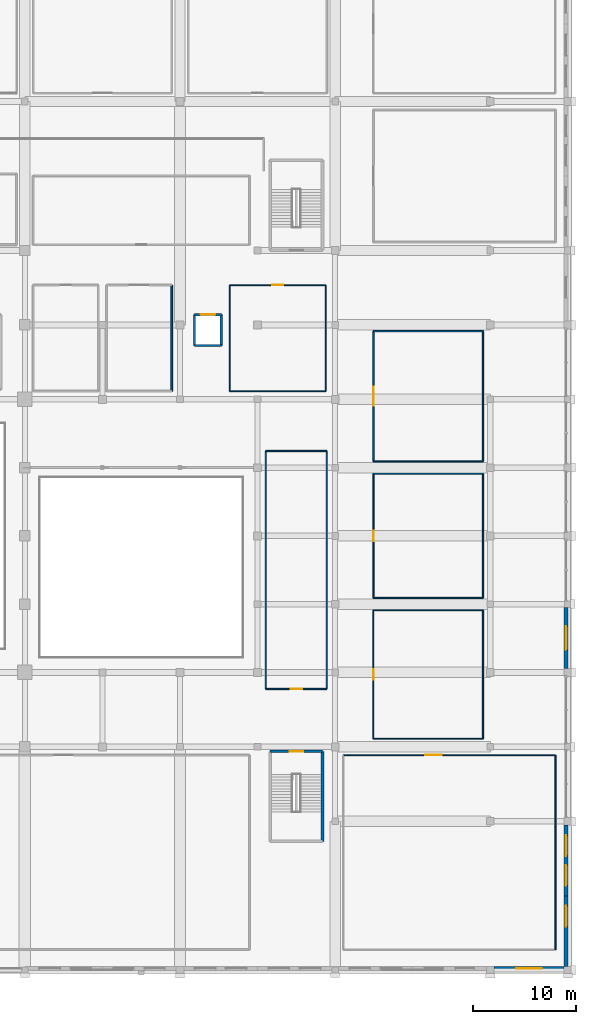
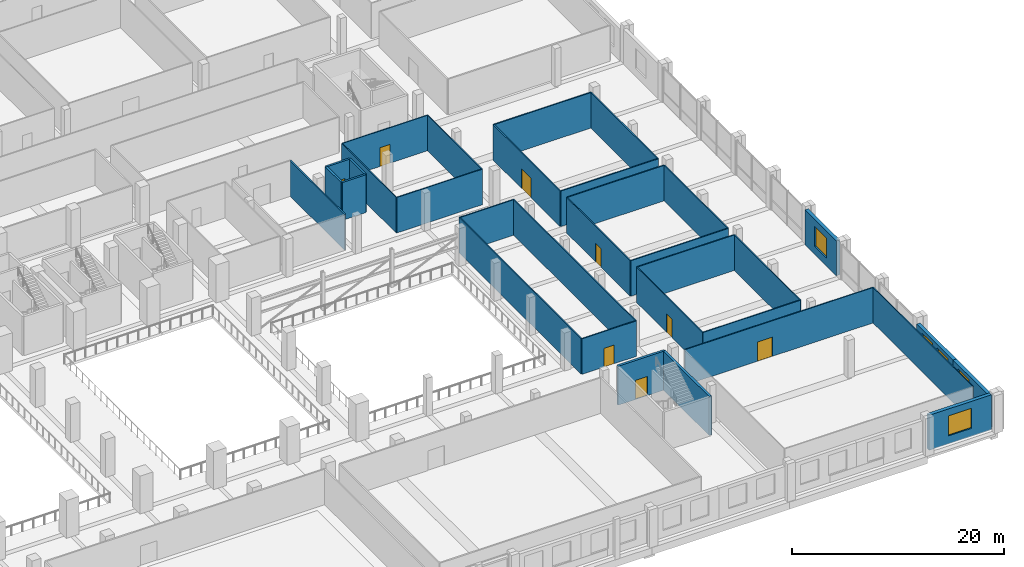
# One storey, part 51 of 64: 33 walls, 8 doors, 5 windows, 13 openings.
"""IFC4 building model written with IfcOpenShell, lengths in metres."""

from ifc_helpers import new_model, si_unit, direction, frame, frame_2d, origin, place, context, subcontext, project, spatial, rectangle, extrude, material, layer, layer_set, type_object, element, fill, save


model = new_model("IFC4")

# Units and contexts
model_context = context("Model", 3, precision=1e-05, world=origin(), true_north=direction((0.0, 1.0)))
body_context = subcontext(model_context, "Body", "Model", "MODEL_VIEW")
ifc_project = project(units=[si_unit("LENGTHUNIT", "METRE"), si_unit("AREAUNIT", "SQUARE_METRE"), si_unit("VOLUMEUNIT", "CUBIC_METRE"), si_unit("PLANEANGLEUNIT", "RADIAN"), si_unit("MASSUNIT", "GRAM", prefix="KILO")], contexts=[model_context])

# Site, building, storey
site_placement = place(None, origin())
site = spatial("IfcSite", under=ifc_project, at=site_placement, CompositionType="ELEMENT")
building_placement = place(site_placement, origin())
building = spatial("IfcBuilding", under=site, at=building_placement, Name="Akrevak Sports Hall", CompositionType="ELEMENT")
storey_placement = place(building_placement, frame((0.0, 0.0, 4.60009765625)))
storey = spatial("IfcBuildingStorey", under=building, at=storey_placement, Name="L01", CompositionType="ELEMENT", Elevation=4.60009765625)

# Wall, opening, window
ifc_material_1 = material(Name="Limestone Ashlar", Category="stone")
ifc_layer_1 = layer(ifc_material_1, 0.080078125, Name="Limestone Ashlar")
ifc_material_2 = material(Name="Mineral Wool Thermal Insulation", Category="insulation")
ifc_layer_2 = layer(ifc_material_2, 0.10009765625, Name="Mineral Wool Thermal Insulation")
ifc_material_3 = material(Name="Concrete C40/50", Category="concrete")
ifc_layer_3 = layer(ifc_material_3, 0.199951171875, Name="Concrete C40/50")
ifc_layer_set_1 = layer_set([ifc_layer_1, ifc_layer_2, ifc_layer_3], Name="Limestone Ashlar / Mineral Wool Thermal Insulation / Concrete C40/50")
wall_type_1 = type_object("IfcWallType", Name="ARC-WL-EXT-380", PredefinedType="SOLIDWALL", material=ifc_layer_set_1)
wall_1_placement = place(storey_placement, frame((160.875, 0.18994140625, 0.0), z_axis=(0.0, 0.0, 1.0), x_axis=(1.0, 0.0, 0.0)))
wall_1 = element("IfcWall", 1, at=wall_1_placement, inside=storey, type_object=wall_type_1, Name="Exterior Limestone Wall L01-S20", PredefinedType="SOLIDWALL", context=body_context, shape_type="SweptSolid", body=[
    extrude(rectangle(XDim=6.75, YDim=0.3798828125, at=frame_2d((3.375, 0.0))), origin(), (0.0, 0.0, 1.0), 4.02001953125),
])
opening_1_placement = place(wall_1_placement, frame((2.125, 0.0, 0.919921875)))
opening_1 = element("IfcOpeningElement", 2, at=opening_1_placement, cuts=wall_1, Name="Opening WN-32", PredefinedType="OPENING", context=body_context, shape_type="SweptSolid", body=[
    extrude(rectangle(XDim=2.5, YDim=2.300048828125, at=frame_2d((1.25, 1.14990234375))), frame((0.0, 0.201904296875, 0.0), z_axis=(0.0, -1.0, 0.0), x_axis=(1.0, 0.0, 0.0)), (0.0, 0.0, 1.0), 0.40380859375),
])
ifc_material_4 = material(Name="Thermally Broken Bronze Frame & Double Low-E Glass", Category="glass")
window_type_1 = type_object("IfcWindowType", Name="ARC-WIN-SZ-2500x2300", PartitioningType="SINGLE_PANEL", PredefinedType="WINDOW", material=ifc_material_4)
window_1_placement = place(opening_1_placement, origin())
window_1 = element("IfcWindow", 3, at=window_1_placement, inside=storey, type_object=window_type_1, Name="Beaux-Arts Facade Window WIN-L01-S20", OverallHeight=2.300048828125, OverallWidth=2.5, PartitioningType="SINGLE_PANEL", PredefinedType="WINDOW", context=body_context, shape_type="SweptSolid", body=[
    extrude(rectangle(XDim=2.5, YDim=2.300048828125, at=frame_2d((1.25, 1.14990234375))), frame((0.0, 0.030029296875, 0.0), z_axis=(0.0, -1.0, 0.0), x_axis=(1.0, 0.0, 0.0)), (0.0, 0.0, 1.0), 0.06005859375),
])
fill(opening_1, window_1)

wall_2_placement = place(storey_placement, frame((167.81005859375, 0.375, 0.0), z_axis=(0.0, 0.0, 1.0), x_axis=(0.0, 1.0, 0.0)))
wall_2 = element("IfcWall", 4, at=wall_2_placement, inside=storey, type_object=wall_type_1, Name="Exterior Limestone Wall L01-E01", PredefinedType="SOLIDWALL", context=body_context, shape_type="SweptSolid", body=[
    extrude(rectangle(XDim=6.824951171875, YDim=0.3798828125, at=frame_2d((3.41259765625, 0.0))), origin(), (0.0, 0.0, 1.0), 3.64990234375),
])
opening_2_placement = place(wall_2_placement, frame((3.845703125, 0.0, 0.919921875)))
opening_2 = element("IfcOpeningElement", 5, at=opening_2_placement, cuts=wall_2, Name="Opening WN-29", PredefinedType="OPENING", context=body_context, shape_type="SweptSolid", body=[
    extrude(rectangle(XDim=2.0, YDim=2.300048828125, at=frame_2d((1.0, 1.14990234375))), frame((0.0, 0.201904296875, 0.0), z_axis=(0.0, -1.0, 0.0), x_axis=(1.0, 0.0, 0.0)), (0.0, 0.0, 1.0), 0.40380859375),
])
window_type_2 = type_object("IfcWindowType", Name="ARC-WIN-SZ-2000x2300", PartitioningType="SINGLE_PANEL", PredefinedType="WINDOW", material=ifc_material_4)
window_2_placement = place(opening_2_placement, origin())
window_2 = element("IfcWindow", 6, at=window_2_placement, inside=storey, type_object=window_type_2, Name="Beaux-Arts Facade Window WIN-L01-E01-2", OverallHeight=2.300048828125, OverallWidth=2.0, PartitioningType="SINGLE_PANEL", PredefinedType="WINDOW", context=body_context, shape_type="SweptSolid", body=[
    extrude(rectangle(XDim=2.0, YDim=2.300048828125, at=frame_2d((1.0, 1.14990234375))), frame((0.0, 0.030029296875, 0.0), z_axis=(0.0, -1.0, 0.0), x_axis=(1.0, 0.0, 0.0)), (0.0, 0.0, 1.0), 0.06005859375),
])
fill(opening_2, window_2)

# Wall, openings, windows
wall_3_placement = place(storey_placement, frame((167.81005859375, 7.199951171875, 0.0), z_axis=(0.0, 0.0, 1.0), x_axis=(0.0, 1.0, 0.0)))
wall_3 = element("IfcWall", 7, at=wall_3_placement, inside=storey, type_object=wall_type_1, Name="Exterior Limestone Wall L01-E02", PredefinedType="SOLIDWALL", context=body_context, shape_type="SweptSolid", body=[
    extrude(rectangle(XDim=6.824951171875, YDim=0.3798828125, at=frame_2d((3.41259765625, 0.0))), origin(), (0.0, 0.0, 1.0), 3.64990234375),
])
opening_3_placement = place(wall_3_placement, frame((0.979248046875, 0.0, 0.919921875)))
opening_3 = element("IfcOpeningElement", 8, at=opening_3_placement, cuts=wall_3, Name="Opening WN-29", PredefinedType="OPENING", context=body_context, shape_type="SweptSolid", body=[
    extrude(rectangle(XDim=2.0, YDim=2.300048828125, at=frame_2d((1.0, 1.14990234375))), frame((0.0, 0.201904296875, 0.0), z_axis=(0.0, -1.0, 0.0), x_axis=(1.0, 0.0, 0.0)), (0.0, 0.0, 1.0), 0.40380859375),
])
opening_4_placement = place(wall_3_placement, frame((3.845703125, 0.0, 0.919921875)))
opening_4 = element("IfcOpeningElement", 9, at=opening_4_placement, cuts=wall_3, Name="Opening WN-29", PredefinedType="OPENING", context=body_context, shape_type="SweptSolid", body=[
    extrude(rectangle(XDim=2.0, YDim=2.300048828125, at=frame_2d((1.0, 1.14990234375))), frame((0.0, 0.201904296875, 0.0), z_axis=(0.0, -1.0, 0.0), x_axis=(1.0, 0.0, 0.0)), (0.0, 0.0, 1.0), 0.40380859375),
])
window_3_placement = place(opening_3_placement, origin())
window_3 = element("IfcWindow", 10, at=window_3_placement, inside=storey, type_object=window_type_2, Name="Beaux-Arts Facade Window WIN-L01-E02-1", OverallHeight=2.300048828125, OverallWidth=2.0, PartitioningType="SINGLE_PANEL", PredefinedType="WINDOW", context=body_context, shape_type="SweptSolid", body=[
    extrude(rectangle(XDim=2.0, YDim=2.300048828125, at=frame_2d((1.0, 1.14990234375))), frame((0.0, 0.030029296875, 0.0), z_axis=(0.0, -1.0, 0.0), x_axis=(1.0, 0.0, 0.0)), (0.0, 0.0, 1.0), 0.06005859375),
])
fill(opening_3, window_3)
window_4_placement = place(opening_4_placement, origin())
window_4 = element("IfcWindow", 11, at=window_4_placement, inside=storey, type_object=window_type_2, Name="Beaux-Arts Facade Window WIN-L01-E02-2", OverallHeight=2.300048828125, OverallWidth=2.0, PartitioningType="SINGLE_PANEL", PredefinedType="WINDOW", context=body_context, shape_type="SweptSolid", body=[
    extrude(rectangle(XDim=2.0, YDim=2.300048828125, at=frame_2d((1.0, 1.14990234375))), frame((0.0, 0.030029296875, 0.0), z_axis=(0.0, -1.0, 0.0), x_axis=(1.0, 0.0, 0.0)), (0.0, 0.0, 1.0), 0.06005859375),
])
fill(opening_4, window_4)

# Wall, opening, window
wall_4_placement = place(storey_placement, frame((167.81005859375, 29.175048828125, 0.0), z_axis=(0.0, 0.0, 1.0), x_axis=(0.0, 1.0, 0.0)))
wall_4 = element("IfcWall", 12, at=wall_4_placement, inside=storey, type_object=wall_type_1, Name="Exterior Limestone Wall L01-E05", PredefinedType="SOLIDWALL", context=body_context, shape_type="SweptSolid", body=[
    extrude(rectangle(XDim=5.89990234375, YDim=0.3798828125, at=frame_2d((2.949951171875, 0.0))), origin(), (0.0, 0.0, 1.0), 4.02001953125),
])
opening_5_placement = place(wall_4_placement, frame((1.800048828125, 0.0, 0.919921875)))
opening_5 = element("IfcOpeningElement", 13, at=opening_5_placement, cuts=wall_4, Name="Opening WN-35", PredefinedType="OPENING", context=body_context, shape_type="SweptSolid", body=[
    extrude(rectangle(XDim=2.300048828125, YDim=2.300048828125, at=frame_2d((1.14990234375, 1.14990234375))), frame((0.0, 0.201904296875, 0.0), z_axis=(0.0, -1.0, 0.0), x_axis=(1.0, 0.0, 0.0)), (0.0, 0.0, 1.0), 0.40380859375),
])
window_type_3 = type_object("IfcWindowType", Name="ARC-WIN-SZ-2300x2300", PartitioningType="SINGLE_PANEL", PredefinedType="WINDOW", material=ifc_material_4)
window_5_placement = place(opening_5_placement, origin())
window_5 = element("IfcWindow", 14, at=window_5_placement, inside=storey, type_object=window_type_3, Name="Beaux-Arts Facade Window WIN-L01-E05", OverallHeight=2.300048828125, OverallWidth=2.300048828125, PartitioningType="SINGLE_PANEL", PredefinedType="WINDOW", context=body_context, shape_type="SweptSolid", body=[
    extrude(rectangle(XDim=2.300048828125, YDim=2.300048828125, at=frame_2d((1.14990234375, 1.14990234375))), frame((0.0, 0.030029296875, 0.0), z_axis=(0.0, -1.0, 0.0), x_axis=(1.0, 0.0, 0.0)), (0.0, 0.0, 1.0), 0.06005859375),
])
fill(opening_5, window_5)

# Wall
ifc_material_5 = material(Name="Sanitary Cubicle Partition", Category="gypsum")
ifc_layer_4 = layer(ifc_material_5, 0.10009765625, Name="Sanitary Cubicle Partition")
ifc_layer_set_2 = layer_set([ifc_layer_4], Name="Sanitary Cubicle Partition")
wall_type_2 = type_object("IfcWallType", Name="ARC-WL-PRT-100", PredefinedType="PARTITIONING", material=ifc_layer_set_2)
wall_5_placement = place(storey_placement, frame((135.300048828125, 56.0, 0.0), z_axis=(0.0, 0.0, 1.0), x_axis=(1.0, 0.0, 0.0)))
element("IfcWall", 15, at=wall_5_placement, inside=storey, type_object=wall_type_2, Name="Interior Partition Match Delegates & Referees Office L01 (S)", PredefinedType="PARTITIONING", context=body_context, shape_type="SweptSolid", body=[
    extrude(rectangle(XDim=9.300048828125, YDim=0.10009765625, at=frame_2d((4.64990234375, 0.0))), origin(), (0.0, 0.0, 1.0), 4.079833984375),
])

# Wall, opening, door
wall_6_placement = place(storey_placement, frame((135.300048828125, 66.25, 0.0), z_axis=(0.0, 0.0, 1.0), x_axis=(1.0, 0.0, 0.0)))
wall_6 = element("IfcWall", 16, at=wall_6_placement, inside=storey, type_object=wall_type_2, Name="Interior Partition Match Delegates & Referees Office L01 (N)", PredefinedType="PARTITIONING", context=body_context, shape_type="SweptSolid", body=[
    extrude(rectangle(XDim=9.300048828125, YDim=0.10009765625, at=frame_2d((4.64990234375, 0.0))), origin(), (0.0, 0.0, 1.0), 4.079833984375),
])
opening_6_placement = place(wall_6_placement, frame((4.10009765625, 0.0, 0.0)))
opening_6 = element("IfcOpeningElement", 17, at=opening_6_placement, cuts=wall_6, Name="Opening ID-04", PredefinedType="OPENING", context=body_context, shape_type="SweptSolid", body=[
    extrude(rectangle(XDim=1.10009765625, YDim=2.14990234375, at=frame_2d((0.550048828125, 1.074951171875))), frame((0.0, 0.06201171875, 0.0), z_axis=(0.0, -1.0, 0.0), x_axis=(1.0, 0.0, 0.0)), (0.0, 0.0, 1.0), 0.1240234375),
])
ifc_material_6 = material(Name="Hardwood Oak Acoustic Leaf", Category="wood")
door_type_1 = type_object("IfcDoorType", Name="ARC-DR-OFF-110x215", OperationType="NOTDEFINED", PredefinedType="DOOR", material=ifc_material_6)
door_1_placement = place(opening_6_placement, origin())
door_1 = element("IfcDoor", 18, at=door_1_placement, inside=storey, type_object=door_type_1, Name="Door to Match Delegates & Referees Office L01", OperationType="SINGLE_SWING_LEFT", OverallHeight=2.14990234375, OverallWidth=1.10009765625, PredefinedType="DOOR", context=body_context, shape_type="SweptSolid", body=[
    extrude(rectangle(XDim=1.10009765625, YDim=2.14990234375, at=frame_2d((0.550048828125, 1.074951171875))), frame((0.0, 0.02490234375, 0.0), z_axis=(0.0, -1.0, 0.0), x_axis=(1.0, 0.0, 0.0)), (0.0, 0.0, 1.0), 0.050048828125),
])
fill(opening_6, door_1)

# Walls
for number, where, z_axis, x_axis, name in (
    (19, (135.300048828125, 56.0, 0.0), (0.0, 0.0, 1.0), (0.0, 1.0, 0.0), "Interior Partition Match Delegates & Referees Office L01 (W)"),
    (20, (144.60009765625, 56.0, 0.0), (0.0, 0.0, 1.0), (0.0, 1.0, 0.0), "Interior Partition Match Delegates & Referees Office L01 (E)"),
):
    element("IfcWall", number, at=place(storey_placement, frame(where, z_axis=z_axis, x_axis=x_axis)), inside=storey, type_object=wall_type_2, Name=name, PredefinedType="PARTITIONING", context=body_context, shape_type="SweptSolid", body=[
        extrude(rectangle(XDim=10.25, YDim=0.10009765625, at=frame_2d((5.125, 0.0))), origin(), (0.0, 0.0, 1.0), 4.079833984375),
    ])
ifc_material_7 = material(Name="Lightweight Office Partition", Category="gypsum")
ifc_layer_5 = layer(ifc_material_7, 0.110107421875, Name="Lightweight Office Partition")
ifc_layer_set_3 = layer_set([ifc_layer_5], Name="Lightweight Office Partition")
wall_type_3 = type_object("IfcWallType", Name="ARC-WL-PRT-110", PredefinedType="PARTITIONING", material=ifc_layer_set_3)
for number, where, z_axis, x_axis, name in (
    (21, (149.199951171875, 22.39990234375, 0.0), (0.0, 0.0, 1.0), (1.0, 0.0, 0.0), "Interior Partition East Wing Sports Physiotherapy Room L01-1 (S)"),
    (22, (149.199951171875, 34.800048828125, 0.0), (0.0, 0.0, 1.0), (1.0, 0.0, 0.0), "Interior Partition East Wing Sports Physiotherapy Room L01-1 (N)"),
):
    element("IfcWall", number, at=place(storey_placement, frame(where, z_axis=z_axis, x_axis=x_axis)), inside=storey, type_object=wall_type_3, Name=name, PredefinedType="PARTITIONING", context=body_context, shape_type="SweptSolid", body=[
        extrude(rectangle(XDim=10.60009765625, YDim=0.110107421875, at=frame_2d((5.300048828125, 0.0))), origin(), (0.0, 0.0, 1.0), 4.079833984375),
    ])

# Wall, opening, door
wall_7_placement = place(storey_placement, frame((149.199951171875, 22.39990234375, 0.0), z_axis=(0.0, 0.0, 1.0), x_axis=(0.0, 1.0, 0.0)))
wall_7 = element("IfcWall", 23, at=wall_7_placement, inside=storey, type_object=wall_type_3, Name="Interior Partition East Wing Sports Physiotherapy Room L01-1 (W)", PredefinedType="PARTITIONING", context=body_context, shape_type="SweptSolid", body=[
    extrude(rectangle(XDim=12.400146484375, YDim=0.110107421875, at=frame_2d((6.2001953125, 0.0))), origin(), (0.0, 0.0, 1.0), 4.079833984375),
])
opening_7_placement = place(wall_7_placement, frame((5.675048828125, 0.0, 0.0)))
opening_7 = element("IfcOpeningElement", 24, at=opening_7_placement, cuts=wall_7, Name="Opening ID-05", PredefinedType="OPENING", context=body_context, shape_type="SweptSolid", body=[
    extrude(rectangle(XDim=1.050048828125, YDim=2.14990234375, at=frame_2d((0.52490234375, 1.074951171875))), frame((0.0, 0.06689453125, 0.0), z_axis=(0.0, -1.0, 0.0), x_axis=(1.0, 0.0, 0.0)), (0.0, 0.0, 1.0), 0.134033203125),
])
door_type_2 = type_object("IfcDoorType", Name="ARC-DR-OFF-105x215", OperationType="NOTDEFINED", PredefinedType="DOOR", material=ifc_material_6)
door_2_placement = place(opening_7_placement, frame((1.050048828125, 0.0, 0.0), z_axis=(0.0, 0.0, 1.0), x_axis=(-1.0, 0.0, 0.0)))
door_2 = element("IfcDoor", 25, at=door_2_placement, inside=storey, type_object=door_type_2, Name="Door to East Wing Sports Physiotherapy Room L01-1", OperationType="SINGLE_SWING_RIGHT", OverallHeight=2.14990234375, OverallWidth=1.050048828125, PredefinedType="DOOR", context=body_context, shape_type="SweptSolid", body=[
    extrude(rectangle(XDim=1.050048828125, YDim=2.14990234375, at=frame_2d((0.52490234375, 1.074951171875))), frame((0.0, 0.02490234375, 0.0), z_axis=(0.0, -1.0, 0.0), x_axis=(1.0, 0.0, 0.0)), (0.0, 0.0, 1.0), 0.050048828125),
])
fill(opening_7, door_2)

# Wall
wall_8_placement = place(storey_placement, frame((159.800048828125, 22.39990234375, 0.0), z_axis=(0.0, 0.0, 1.0), x_axis=(0.0, 1.0, 0.0)))
element("IfcWall", 26, at=wall_8_placement, inside=storey, type_object=wall_type_3, Name="Interior Partition East Wing Sports Physiotherapy Room L01-1 (E)", PredefinedType="PARTITIONING", context=body_context, shape_type="SweptSolid", body=[
    extrude(rectangle(XDim=12.400146484375, YDim=0.110107421875, at=frame_2d((6.2001953125, 0.0))), origin(), (0.0, 0.0, 1.0), 4.079833984375),
])

# Wall, opening, door
wall_9_placement = place(storey_placement, frame((146.300048828125, 20.800048828125, 0.0), z_axis=(0.0, 0.0, 1.0), x_axis=(1.0, 0.0, 0.0)))
wall_9 = element("IfcWall", 27, at=wall_9_placement, inside=storey, type_object=wall_type_3, Name="Interior Partition South-East Sports Academy Office L01 (N)", PredefinedType="PARTITIONING", context=body_context, shape_type="SweptSolid", body=[
    extrude(rectangle(XDim=20.5, YDim=0.110107421875, at=frame_2d((10.25, 0.0))), origin(), (0.0, 0.0, 1.0), 4.079833984375),
])
opening_8_placement = place(wall_9_placement, frame((7.89990234375, 0.0, 0.0)))
opening_8 = element("IfcOpeningElement", 28, at=opening_8_placement, cuts=wall_9, Name="Opening ID-03", PredefinedType="OPENING", context=body_context, shape_type="SweptSolid", body=[
    extrude(rectangle(XDim=1.60009765625, YDim=2.199951171875, at=frame_2d((0.800048828125, 1.10009765625))), frame((0.0, 0.06689453125, 0.0), z_axis=(0.0, -1.0, 0.0), x_axis=(1.0, 0.0, 0.0)), (0.0, 0.0, 1.0), 0.134033203125),
])
ifc_material_8 = material(Name="Hardwood Oak & Safety Glass", Category="wood")
door_type_3 = type_object("IfcDoorType", Name="ARC-DR-HALL-160x220", OperationType="DOUBLE_DOOR_SINGLE_SWING", PredefinedType="DOOR", material=ifc_material_8)
door_3_placement = place(opening_8_placement, origin())
door_3 = element("IfcDoor", 29, at=door_3_placement, inside=storey, type_object=door_type_3, Name="Door to South-East Sports Academy Office L01", OperationType="DOUBLE_DOOR_SINGLE_SWING", OverallHeight=2.199951171875, OverallWidth=1.60009765625, PredefinedType="DOOR", context=body_context, shape_type="SweptSolid", body=[
    extrude(rectangle(XDim=1.60009765625, YDim=2.199951171875, at=frame_2d((0.800048828125, 1.10009765625))), frame((0.0, 0.02490234375, 0.0), z_axis=(0.0, -1.0, 0.0), x_axis=(1.0, 0.0, 0.0)), (0.0, 0.0, 1.0), 0.050048828125),
])
fill(opening_8, door_3)

# Walls
wall_10_placement = place(storey_placement, frame((166.800048828125, 2.0, 0.0), z_axis=(0.0, 0.0, 1.0), x_axis=(0.0, 1.0, 0.0)))
element("IfcWall", 30, at=wall_10_placement, inside=storey, type_object=wall_type_3, Name="Interior Partition South-East Sports Academy Office L01 (E)", PredefinedType="PARTITIONING", context=body_context, shape_type="SweptSolid", body=[
    extrude(rectangle(XDim=18.800048828125, YDim=0.110107421875, at=frame_2d((9.39990234375, 0.0))), origin(), (0.0, 0.0, 1.0), 4.079833984375),
])
ifc_material_9 = material(Name="Standard Metal Stud Partition", Category="gypsum")
ifc_layer_6 = layer(ifc_material_9, 0.1201171875, Name="Standard Metal Stud Partition")
ifc_layer_set_4 = layer_set([ifc_layer_6], Name="Standard Metal Stud Partition")
wall_type_4 = type_object("IfcWallType", Name="ARC-WL-PRT-120", PredefinedType="PARTITIONING", material=ifc_layer_set_4)
for number, where, z_axis, x_axis, name in (
    (31, (149.199951171875, 36.0, 0.0), (0.0, 0.0, 1.0), (1.0, 0.0, 0.0), "Interior Partition East Wing Federation Office L01-2 (S)"),
    (32, (149.199951171875, 48.0, 0.0), (0.0, 0.0, 1.0), (1.0, 0.0, 0.0), "Interior Partition East Wing Federation Office L01-2 (N)"),
):
    element("IfcWall", number, at=place(storey_placement, frame(where, z_axis=z_axis, x_axis=x_axis)), inside=storey, type_object=wall_type_4, Name=name, PredefinedType="PARTITIONING", context=body_context, shape_type="SweptSolid", body=[
        extrude(rectangle(XDim=10.60009765625, YDim=0.1201171875, at=frame_2d((5.300048828125, 0.0))), origin(), (0.0, 0.0, 1.0), 4.079833984375),
    ])

# Wall, opening, door
wall_11_placement = place(storey_placement, frame((149.199951171875, 36.0, 0.0), z_axis=(0.0, 0.0, 1.0), x_axis=(0.0, 1.0, 0.0)))
wall_11 = element("IfcWall", 33, at=wall_11_placement, inside=storey, type_object=wall_type_4, Name="Interior Partition East Wing Federation Office L01-2 (W)", PredefinedType="PARTITIONING", context=body_context, shape_type="SweptSolid", body=[
    extrude(rectangle(XDim=12.0, YDim=0.1201171875, at=frame_2d((6.0, 0.0))), origin(), (0.0, 0.0, 1.0), 4.079833984375),
])
opening_9_placement = place(wall_11_placement, frame((5.5, 0.0, 0.0)))
opening_9 = element("IfcOpeningElement", 34, at=opening_9_placement, cuts=wall_11, Name="Opening ID-06", PredefinedType="OPENING", context=body_context, shape_type="SweptSolid", body=[
    extrude(rectangle(XDim=1.0, YDim=2.14990234375, at=frame_2d((0.5, 1.074951171875))), frame((0.0, 0.072021484375, 0.0), z_axis=(0.0, -1.0, 0.0), x_axis=(1.0, 0.0, 0.0)), (0.0, 0.0, 1.0), 0.14404296875),
])
door_type_4 = type_object("IfcDoorType", Name="ARC-DR-OFF-100x215", OperationType="NOTDEFINED", PredefinedType="DOOR", material=ifc_material_6)
door_4_placement = place(opening_9_placement, origin())
door_4 = element("IfcDoor", 35, at=door_4_placement, inside=storey, type_object=door_type_4, Name="Door to East Wing Federation Office L01-2", OperationType="SINGLE_SWING_LEFT", OverallHeight=2.14990234375, OverallWidth=1.0, PredefinedType="DOOR", context=body_context, shape_type="SweptSolid", body=[
    extrude(rectangle(XDim=1.0, YDim=2.14990234375, at=frame_2d((0.5, 1.074951171875))), frame((0.0, 0.02490234375, 0.0), z_axis=(0.0, -1.0, 0.0), x_axis=(1.0, 0.0, 0.0)), (0.0, 0.0, 1.0), 0.050048828125),
])
fill(opening_9, door_4)

# Wall
wall_12_placement = place(storey_placement, frame((159.800048828125, 36.0, 0.0), z_axis=(0.0, 0.0, 1.0), x_axis=(0.0, 1.0, 0.0)))
element("IfcWall", 36, at=wall_12_placement, inside=storey, type_object=wall_type_4, Name="Interior Partition East Wing Federation Office L01-2 (E)", PredefinedType="PARTITIONING", context=body_context, shape_type="SweptSolid", body=[
    extrude(rectangle(XDim=12.0, YDim=0.1201171875, at=frame_2d((6.0, 0.0))), origin(), (0.0, 0.0, 1.0), 4.079833984375),
])

# Wall, opening, door
wall_13_placement = place(storey_placement, frame((138.800048828125, 27.199951171875, 0.0), z_axis=(0.0, 0.0, 1.0), x_axis=(1.0, 0.0, 0.0)))
wall_13 = element("IfcWall", 37, at=wall_13_placement, inside=storey, type_object=wall_type_4, Name="Interior Partition East Coaching & Video Analysis Office L01 (S)", PredefinedType="PARTITIONING", context=body_context, shape_type="SweptSolid", body=[
    extrude(rectangle(XDim=5.89990234375, YDim=0.1201171875, at=frame_2d((2.949951171875, 0.0))), origin(), (0.0, 0.0, 1.0), 4.079833984375),
])
opening_10_placement = place(wall_13_placement, frame((2.39990234375, 0.0, 0.0)))
opening_10 = element("IfcOpeningElement", 38, at=opening_10_placement, cuts=wall_13, Name="Opening ID-04", PredefinedType="OPENING", context=body_context, shape_type="SweptSolid", body=[
    extrude(rectangle(XDim=1.10009765625, YDim=2.14990234375, at=frame_2d((0.550048828125, 1.074951171875))), frame((0.0, 0.072021484375, 0.0), z_axis=(0.0, -1.0, 0.0), x_axis=(1.0, 0.0, 0.0)), (0.0, 0.0, 1.0), 0.14404296875),
])
door_5_placement = place(opening_10_placement, frame((1.10009765625, 0.0, 0.0), z_axis=(0.0, 0.0, 1.0), x_axis=(-1.0, 0.0, 0.0)))
door_5 = element("IfcDoor", 39, at=door_5_placement, inside=storey, type_object=door_type_1, Name="Door to East Coaching & Video Analysis Office L01", OperationType="SINGLE_SWING_RIGHT", OverallHeight=2.14990234375, OverallWidth=1.10009765625, PredefinedType="DOOR", context=body_context, shape_type="SweptSolid", body=[
    extrude(rectangle(XDim=1.10009765625, YDim=2.14990234375, at=frame_2d((0.550048828125, 1.074951171875))), frame((0.0, 0.02490234375, 0.0), z_axis=(0.0, -1.0, 0.0), x_axis=(1.0, 0.0, 0.0)), (0.0, 0.0, 1.0), 0.050048828125),
])
fill(opening_10, door_5)

# Walls
wall_14_placement = place(storey_placement, frame((138.800048828125, 50.199951171875, 0.0), z_axis=(0.0, 0.0, 1.0), x_axis=(1.0, 0.0, 0.0)))
element("IfcWall", 40, at=wall_14_placement, inside=storey, type_object=wall_type_4, Name="Interior Partition East Coaching & Video Analysis Office L01 (N)", PredefinedType="PARTITIONING", context=body_context, shape_type="SweptSolid", body=[
    extrude(rectangle(XDim=5.89990234375, YDim=0.1201171875, at=frame_2d((2.949951171875, 0.0))), origin(), (0.0, 0.0, 1.0), 4.079833984375),
])
for number, where, z_axis, x_axis, name in (
    (41, (138.800048828125, 27.199951171875, 0.0), (0.0, 0.0, 1.0), (0.0, 1.0, 0.0), "Interior Partition East Coaching & Video Analysis Office L01 (W)"),
    (42, (144.699951171875, 27.199951171875, 0.0), (0.0, 0.0, 1.0), (0.0, 1.0, 0.0), "Interior Partition East Coaching & Video Analysis Office L01 (E)"),
):
    element("IfcWall", number, at=place(storey_placement, frame(where, z_axis=z_axis, x_axis=x_axis)), inside=storey, type_object=wall_type_4, Name=name, PredefinedType="PARTITIONING", context=body_context, shape_type="SweptSolid", body=[
        extrude(rectangle(XDim=23.0, YDim=0.1201171875, at=frame_2d((11.5, 0.0))), origin(), (0.0, 0.0, 1.0), 4.079833984375),
    ])
ifc_material_10 = material(Name="Acoustic Metal Stud Partition", Category="gypsum")
ifc_layer_7 = layer(ifc_material_10, 0.1298828125, Name="Acoustic Metal Stud Partition")
ifc_layer_set_5 = layer_set([ifc_layer_7], Name="Acoustic Metal Stud Partition")
wall_type_5 = type_object("IfcWallType", Name="ARC-WL-PRT-130", PredefinedType="PARTITIONING", material=ifc_layer_set_5)
for number, where, z_axis, x_axis, name in (
    (43, (149.199951171875, 49.199951171875, 0.0), (0.0, 0.0, 1.0), (1.0, 0.0, 0.0), "Interior Partition East Wing Equipment Storage L01-3 (S)"),
    (44, (149.199951171875, 61.800048828125, 0.0), (0.0, 0.0, 1.0), (1.0, 0.0, 0.0), "Interior Partition East Wing Equipment Storage L01-3 (N)"),
):
    element("IfcWall", number, at=place(storey_placement, frame(where, z_axis=z_axis, x_axis=x_axis)), inside=storey, type_object=wall_type_5, Name=name, PredefinedType="PARTITIONING", context=body_context, shape_type="SweptSolid", body=[
        extrude(rectangle(XDim=10.60009765625, YDim=0.1298828125, at=frame_2d((5.300048828125, 0.0))), origin(), (0.0, 0.0, 1.0), 4.079833984375),
    ])

# Wall, opening, door
wall_15_placement = place(storey_placement, frame((149.199951171875, 49.199951171875, 0.0), z_axis=(0.0, 0.0, 1.0), x_axis=(0.0, 1.0, 0.0)))
wall_15 = element("IfcWall", 45, at=wall_15_placement, inside=storey, type_object=wall_type_5, Name="Interior Partition East Wing Equipment Storage L01-3 (W)", PredefinedType="PARTITIONING", context=body_context, shape_type="SweptSolid", body=[
    extrude(rectangle(XDim=12.60009765625, YDim=0.1298828125, at=frame_2d((6.300048828125, 0.0))), origin(), (0.0, 0.0, 1.0), 4.079833984375),
])
opening_11_placement = place(wall_15_placement, frame((5.39990234375, 0.0, 0.0)))
opening_11 = element("IfcOpeningElement", 46, at=opening_11_placement, cuts=wall_15, Name="Opening ID-02", PredefinedType="OPENING", context=body_context, shape_type="SweptSolid", body=[
    extrude(rectangle(XDim=1.800048828125, YDim=2.25, at=frame_2d((0.89990234375, 1.125))), frame((0.0, 0.076904296875, 0.0), z_axis=(0.0, -1.0, 0.0), x_axis=(1.0, 0.0, 0.0)), (0.0, 0.0, 1.0), 0.15380859375),
])
door_type_5 = type_object("IfcDoorType", Name="ARC-DR-HALL-180x225", OperationType="DOUBLE_DOOR_SINGLE_SWING", PredefinedType="DOOR", material=ifc_material_8)
door_6_placement = place(opening_11_placement, origin())
door_6 = element("IfcDoor", 47, at=door_6_placement, inside=storey, type_object=door_type_5, Name="Door to East Wing Equipment Storage L01-3", OperationType="DOUBLE_DOOR_SINGLE_SWING", OverallHeight=2.25, OverallWidth=1.800048828125, PredefinedType="DOOR", context=body_context, shape_type="SweptSolid", body=[
    extrude(rectangle(XDim=1.800048828125, YDim=2.25, at=frame_2d((0.89990234375, 1.125))), frame((0.0, 0.02490234375, 0.0), z_axis=(0.0, -1.0, 0.0), x_axis=(1.0, 0.0, 0.0)), (0.0, 0.0, 1.0), 0.050048828125),
])
fill(opening_11, door_6)

# Walls
wall_16_placement = place(storey_placement, frame((159.800048828125, 49.199951171875, 0.0), z_axis=(0.0, 0.0, 1.0), x_axis=(0.0, 1.0, 0.0)))
element("IfcWall", 48, at=wall_16_placement, inside=storey, type_object=wall_type_5, Name="Interior Partition East Wing Equipment Storage L01-3 (E)", PredefinedType="PARTITIONING", context=body_context, shape_type="SweptSolid", body=[
    extrude(rectangle(XDim=12.60009765625, YDim=0.1298828125, at=frame_2d((6.300048828125, 0.0))), origin(), (0.0, 0.0, 1.0), 4.079833984375),
])
ifc_material_11 = material(Name="Double Stud Acoustic Gypsum Partition", Category="gypsum")
ifc_layer_8 = layer(ifc_material_11, 0.14990234375, Name="Double Stud Acoustic Gypsum Partition")
ifc_layer_set_6 = layer_set([ifc_layer_8], Name="Double Stud Acoustic Gypsum Partition")
wall_type_6 = type_object("IfcWallType", Name="ARC-WL-PRT-150", PredefinedType="PARTITIONING", material=ifc_layer_set_6)
wall_17_placement = place(storey_placement, frame((129.699951171875, 56.0, 0.0), z_axis=(0.0, 0.0, 1.0), x_axis=(0.0, 1.0, 0.0)))
element("IfcWall", 49, at=wall_17_placement, inside=storey, type_object=wall_type_6, Name="Interior Partition Upper Apparatus Storage L01 (E)", PredefinedType="PARTITIONING", context=body_context, shape_type="SweptSolid", body=[
    extrude(rectangle(XDim=10.25, YDim=0.14990234375, at=frame_2d((5.125, 0.0))), origin(), (0.0, 0.0, 1.0), 4.079833984375),
])
ifc_material_12 = material(Name="Concrete C50/60", Category="concrete")
ifc_layer_9 = layer(ifc_material_12, 0.219970703125, Name="Concrete C50/60")
ifc_layer_set_7 = layer_set([ifc_layer_9], Name="Concrete C50/60")
wall_type_7 = type_object("IfcWallType", Name="ARC-WL-SHAFT-220", PredefinedType="SHEAR", material=ifc_layer_set_7)
wall_18_placement = place(storey_placement, frame((131.909912109375, 60.409912109375, 0.0), z_axis=(0.0, 0.0, 1.0), x_axis=(1.0, 0.0, 0.0)))
element("IfcWall", 50, at=wall_18_placement, inside=storey, type_object=wall_type_7, Name="Lift Shaft LF-S1 Wall S (L01)", PredefinedType="SHEAR", context=body_context, shape_type="SweptSolid", body=[
    extrude(rectangle(XDim=2.580078125, YDim=0.219970703125, at=frame_2d((1.2900390625, 0.0))), origin(), (0.0, 0.0, 1.0), 4.349853515625),
])

# Wall, opening, door
wall_19_placement = place(storey_placement, frame((134.489990234375, 63.389892578125, 0.0), z_axis=(0.0, 0.0, 1.0), x_axis=(-1.0, 0.0, 0.0)))
wall_19 = element("IfcWall", 51, at=wall_19_placement, inside=storey, type_object=wall_type_7, Name="Lift Shaft LF-S1 Wall N (L01)", PredefinedType="SHEAR", context=body_context, shape_type="SweptSolid", body=[
    extrude(rectangle(XDim=2.580078125, YDim=0.219970703125, at=frame_2d((1.2900390625, 0.0))), origin(), (0.0, 0.0, 1.0), 4.349853515625),
])
opening_12_placement = place(wall_19_placement, frame((0.590087890625, 0.0, 0.0)))
opening_12 = element("IfcOpeningElement", 52, at=opening_12_placement, cuts=wall_19, Name="Opening LD-03", PredefinedType="OPENING", context=body_context, shape_type="SweptSolid", body=[
    extrude(rectangle(XDim=1.39990234375, YDim=2.300048828125, at=frame_2d((0.699951171875, 1.14990234375))), frame((0.0, 0.1220703125, 0.0), z_axis=(0.0, -1.0, 0.0), x_axis=(1.0, 0.0, 0.0)), (0.0, 0.0, 1.0), 0.243896484375),
])
ifc_material_13 = material(Name="Brushed Stainless Steel 304", Category="steel")
door_type_6 = type_object("IfcDoorType", Name="ARC-DR-LD-140x230", OperationType="SLIDING_TO_LEFT", PredefinedType="DOOR", material=ifc_material_13)
door_7_placement = place(opening_12_placement, origin())
door_7 = element("IfcDoor", 53, at=door_7_placement, inside=storey, type_object=door_type_6, Name="Lift LF-S1 Sliding Landing Door (L01)", OperationType="SLIDING_TO_RIGHT", OverallHeight=2.300048828125, OverallWidth=1.39990234375, PredefinedType="DOOR", context=body_context, shape_type="SweptSolid", body=[
    extrude(rectangle(XDim=1.39990234375, YDim=2.300048828125, at=frame_2d((0.699951171875, 1.14990234375))), frame((0.0, 0.02490234375, 0.0), z_axis=(0.0, -1.0, 0.0), x_axis=(1.0, 0.0, 0.0)), (0.0, 0.0, 1.0), 0.050048828125),
])
fill(opening_12, door_7)

# Walls
for number, where, z_axis, x_axis, name in (
    (54, (131.909912109375, 63.389892578125, 0.0), (0.0, 0.0, 1.0), (0.0, -1.0, 0.0), "Lift Shaft LF-S1 Wall W (L01)"),
    (55, (134.489990234375, 60.409912109375, 0.0), (0.0, 0.0, 1.0), (0.0, 1.0, 0.0), "Lift Shaft LF-S1 Wall E (L01)"),
):
    element("IfcWall", number, at=place(storey_placement, frame(where, z_axis=z_axis, x_axis=x_axis)), inside=storey, type_object=wall_type_7, Name=name, PredefinedType="SHEAR", context=body_context, shape_type="SweptSolid", body=[
        extrude(rectangle(XDim=2.97998046875, YDim=0.219970703125, at=frame_2d((1.489990234375, 0.0))), origin(), (0.0, 0.0, 1.0), 4.349853515625),
    ])

# Wall, opening, door
ifc_layer_10 = layer(ifc_material_12, 0.25, Name="Concrete C50/60")
ifc_layer_set_8 = layer_set([ifc_layer_10], Name="Concrete C50/60")
wall_type_8 = type_object("IfcWallType", Name="STR-WL-STAIR-250", PredefinedType="SHEAR", material=ifc_layer_set_8)
wall_20_placement = place(storey_placement, frame((144.27490234375, 21.175048828125, 0.0), z_axis=(0.0, 0.0, 1.0), x_axis=(-1.0, 0.0, 0.0)))
wall_20 = element("IfcWall", 56, at=wall_20_placement, inside=storey, type_object=wall_type_8, Name="Stair Core ST7 Shear Wall N (L01)", PredefinedType="SHEAR", context=body_context, shape_type="SweptSolid", body=[
    extrude(rectangle(XDim=5.0498046875, YDim=0.25, at=frame_2d((2.52490234375, 0.0))), origin(), (0.0, 0.0, 1.0), 4.47998046875),
])
opening_13_placement = place(wall_20_placement, frame((1.875, 0.0, 0.0)))
opening_13 = element("IfcOpeningElement", 57, at=opening_13_placement, cuts=wall_20, Name="Opening SD-01", PredefinedType="OPENING", context=body_context, shape_type="SweptSolid", body=[
    extrude(rectangle(XDim=1.300048828125, YDim=2.199951171875, at=frame_2d((0.64990234375, 1.10009765625))), frame((0.0, 0.136962890625, 0.0), z_axis=(0.0, -1.0, 0.0), x_axis=(1.0, 0.0, 0.0)), (0.0, 0.0, 1.0), 0.27392578125),
])
ifc_material_14 = material(Name="Fire-Rated Galvanized Door Steel", Category="steel")
door_type_7 = type_object("IfcDoorType", Name="ARC-DR-STAIR-130x220", OperationType="NOTDEFINED", PredefinedType="DOOR", material=ifc_material_14)
door_8_placement = place(opening_13_placement, origin())
door_8 = element("IfcDoor", 58, at=door_8_placement, inside=storey, type_object=door_type_7, Name="Exit Stair ST7 Door (L01)", OperationType="SINGLE_SWING_LEFT", OverallHeight=2.199951171875, OverallWidth=1.300048828125, PredefinedType="DOOR", context=body_context, shape_type="SweptSolid", body=[
    extrude(rectangle(XDim=1.300048828125, YDim=2.199951171875, at=frame_2d((0.64990234375, 1.10009765625))), frame((0.0, 0.02490234375, 0.0), z_axis=(0.0, -1.0, 0.0), x_axis=(1.0, 0.0, 0.0)), (0.0, 0.0, 1.0), 0.050048828125),
])
fill(opening_13, door_8)

# Wall
wall_21_placement = place(storey_placement, frame((144.27490234375, 12.47509765625, 0.0), z_axis=(0.0, 0.0, 1.0), x_axis=(0.0, 1.0, 0.0)))
element("IfcWall", 59, at=wall_21_placement, inside=storey, type_object=wall_type_8, Name="Stair Core ST7 Shear Wall E (L01)", PredefinedType="SHEAR", context=body_context, shape_type="SweptSolid", body=[
    extrude(rectangle(XDim=8.699951171875, YDim=0.25, at=frame_2d((4.35009765625, 0.0))), origin(), (0.0, 0.0, 1.0), 4.47998046875),
])

save(model, "model.ifc")
